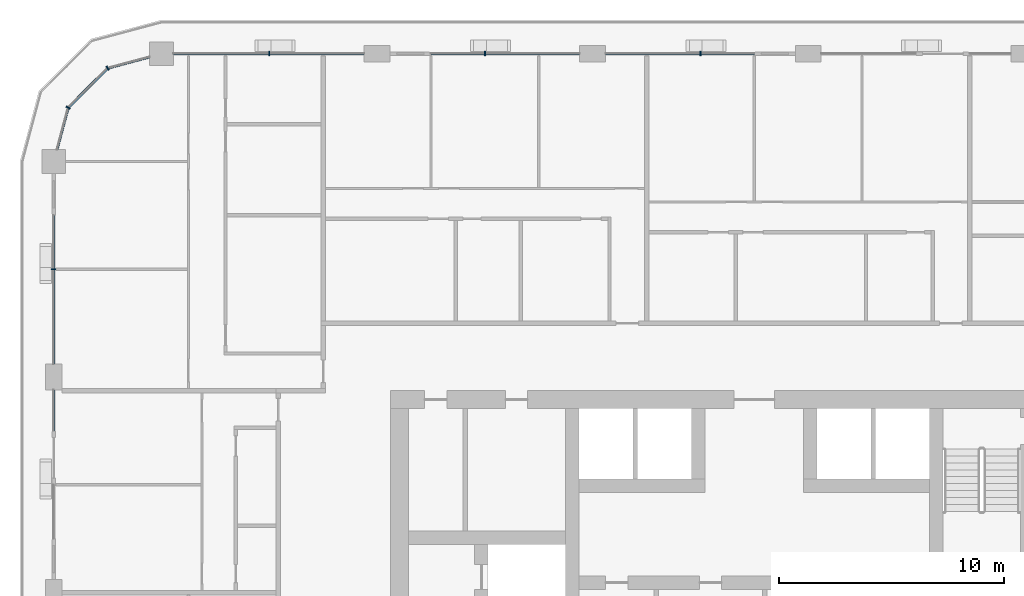
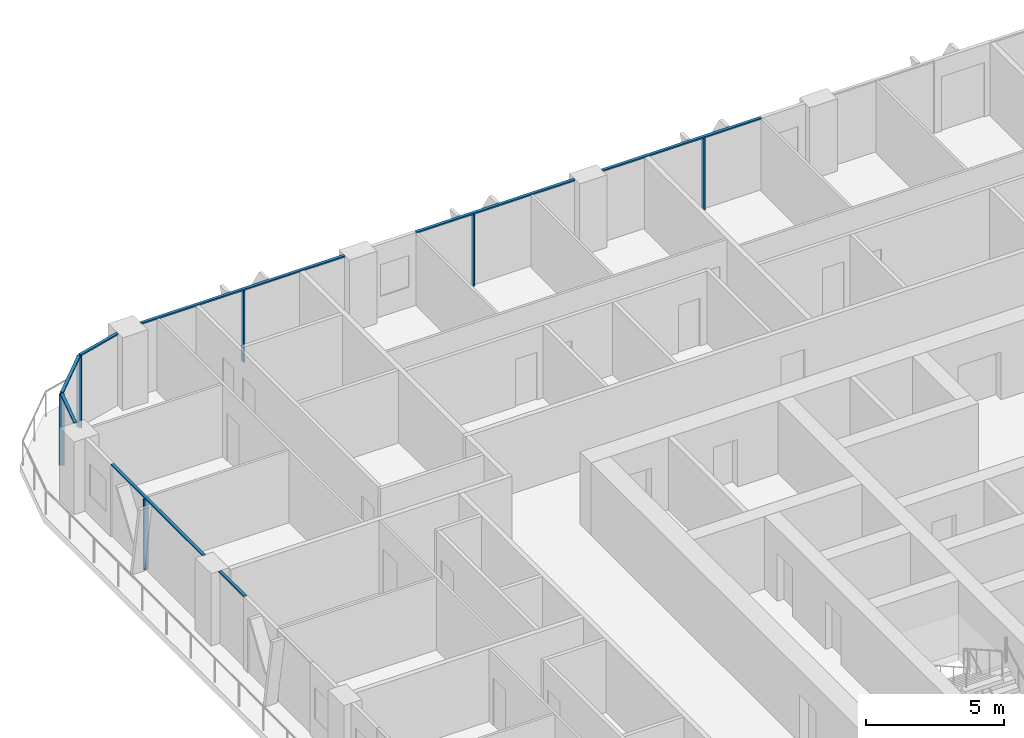
# One storey, part 5 of 22: 14 members, 6 elements without a shape of their own.
"""IFC4 building model written with IfcOpenShell, lengths in metres."""

from ifc_helpers import new_model, si_unit, direction, frame, origin, origin_2d, place, context, subcontext, project, spatial, rectangle, extrude, material, layer, layer_set, material_profile, profile_set, type_object, element, aggregate, save


model = new_model("IFC4")

# Units and contexts
model_context = context("Model", 3, precision=1e-05, world=origin(), true_north=direction((0.0, 1.0)))
body_context = subcontext(model_context, "Body", "Model", "MODEL_VIEW")
ifc_project = project(units=[si_unit("LENGTHUNIT", "METRE"), si_unit("AREAUNIT", "SQUARE_METRE"), si_unit("VOLUMEUNIT", "CUBIC_METRE"), si_unit("PLANEANGLEUNIT", "RADIAN"), si_unit("MASSUNIT", "GRAM", prefix="KILO")], contexts=[model_context])

# Site, building, storey
site_placement = place(None, origin())
site = spatial("IfcSite", under=ifc_project, at=site_placement, CompositionType="ELEMENT")
building_placement = place(site_placement, origin())
building = spatial("IfcBuilding", under=site, at=building_placement, Name="Madar Terraces", CompositionType="ELEMENT")
storey_placement = place(building_placement, frame((0.0, 0.0, 126.10009765625)))
storey = spatial("IfcBuildingStorey", under=building, at=storey_placement, Name="L32", CompositionType="ELEMENT", Elevation=126.10009765625)

# Curtain wall, member
ifc_material_1 = material(Name="Glass, ceramic frit dark grey, with black aluminium frame", Category="aluminium")
ifc_layer = layer(ifc_material_1, 0.199951171875)
ifc_layer_set = layer_set([ifc_layer], Name="Facade curtain wall, fritted glass")
curtain_wall_type = type_object("IfcCurtainWallType", Name="Facade curtain wall, fritted glass", PredefinedType="NOTDEFINED", material=ifc_layer_set)
curtain_wall_1_placement = place(storey_placement, origin())
curtain_wall_1 = element("IfcCurtainWall", 1, at=curtain_wall_1_placement, inside=storey, type_object=curtain_wall_type, Name="Outer skin curtain wall north bay 3", PredefinedType="NOTDEFINED")
ifc_material_2 = material(Name="Aluminium, black anodised", Category="aluminium")
ifc_material_profile_1 = material_profile(ifc_material_2, rectangle(XDim=0.199951171875, YDim=0.06005859375, at=origin_2d()), Name="Facade mullion 60x200")
ifc_profile_set_1 = profile_set([ifc_material_profile_1], Name="Aluminium, black anodised")
member_type_1 = type_object("IfcMemberType", Name="Facade mullion 60x200", PredefinedType="MULLION", material=ifc_profile_set_1)
member_1_placement = place(storey_placement, frame((28.800048828125, 52.800048828125, 0.0), z_axis=(0.0, 0.0, 1.0), x_axis=(0.0, -1.0, 0.0)))
member_1 = element("IfcMember", 2, at=member_1_placement, type_object=member_type_1, Name="Mullion 1", PredefinedType="MULLION", context=body_context, shape_type="SweptSolid", body=[
    extrude(rectangle(XDim=0.199951171875, YDim=0.06005859375, at=origin_2d()), origin(), (0.0, 0.0, 1.0), 3.139892578125),
])

curtain_wall_2_placement = place(storey_placement, origin())
curtain_wall_2 = element("IfcCurtainWall", 3, at=curtain_wall_2_placement, inside=storey, type_object=curtain_wall_type, Name="Outer skin curtain wall north bay 4", PredefinedType="NOTDEFINED")
member_2_placement = place(storey_placement, frame((19.199951171875, 52.800048828125, 0.0), z_axis=(0.0, 0.0, 1.0), x_axis=(0.0, -1.0, 0.0)))
member_2 = element("IfcMember", 4, at=member_2_placement, type_object=member_type_1, Name="Mullion 1", PredefinedType="MULLION", context=body_context, shape_type="SweptSolid", body=[
    extrude(rectangle(XDim=0.199951171875, YDim=0.06005859375, at=origin_2d()), origin(), (0.0, 0.0, 1.0), 3.139892578125),
])

curtain_wall_3_placement = place(storey_placement, origin())
curtain_wall_3 = element("IfcCurtainWall", 5, at=curtain_wall_3_placement, inside=storey, type_object=curtain_wall_type, Name="Outer skin curtain wall north bay 5", PredefinedType="NOTDEFINED")
member_3_placement = place(storey_placement, frame((9.60009765625, 52.800048828125, 0.0), z_axis=(0.0, 0.0, 1.0), x_axis=(0.0, -1.0, 0.0)))
member_3 = element("IfcMember", 6, at=member_3_placement, type_object=member_type_1, Name="Mullion 1", PredefinedType="MULLION", context=body_context, shape_type="SweptSolid", body=[
    extrude(rectangle(XDim=0.199951171875, YDim=0.06005859375, at=origin_2d()), origin(), (0.0, 0.0, 1.0), 3.139892578125),
])

curtain_wall_4_placement = place(storey_placement, origin())
curtain_wall_4 = element("IfcCurtainWall", 7, at=curtain_wall_4_placement, inside=storey, type_object=curtain_wall_type, Name="Outer skin curtain wall west bay 1", PredefinedType="NOTDEFINED")
member_4_placement = place(storey_placement, frame((0.0, 43.199951171875, 0.0), z_axis=(0.0, 0.0, 1.0), x_axis=(1.0, 0.0, 0.0)))
member_4 = element("IfcMember", 8, at=member_4_placement, type_object=member_type_1, Name="Mullion 1", PredefinedType="MULLION", context=body_context, shape_type="SweptSolid", body=[
    extrude(rectangle(XDim=0.199951171875, YDim=0.06005859375, at=origin_2d()), origin(), (0.0, 0.0, 1.0), 3.139892578125),
])

# Curtain wall, members
curtain_wall_5_placement = place(storey_placement, origin())
curtain_wall_5 = element("IfcCurtainWall", 9, at=curtain_wall_5_placement, inside=storey, type_object=curtain_wall_type, Name="Outer skin curtain wall north-west corner", PredefinedType="NOTDEFINED")
member_5_placement = place(storey_placement, frame((2.39990234375, 52.156982421875, 0.0), z_axis=(0.0, 0.0, 1.0), x_axis=(0.499999989586, -0.866025409797, 0.0)))
member_5 = element("IfcMember", 10, at=member_5_placement, type_object=member_type_1, Name="Mullion 1", PredefinedType="MULLION", context=body_context, shape_type="SweptSolid", body=[
    extrude(rectangle(XDim=0.199951171875, YDim=0.06005859375, at=origin_2d()), origin(), (0.0, 0.0, 1.0), 3.139892578125),
])
member_6_placement = place(storey_placement, frame((0.64306640625, 50.39990234375, 0.0), z_axis=(0.0, 0.0, 1.0), x_axis=(0.866025409797, -0.499999989586, 0.0)))
member_6 = element("IfcMember", 11, at=member_6_placement, type_object=member_type_1, Name="Mullion 2", PredefinedType="MULLION", context=body_context, shape_type="SweptSolid", body=[
    extrude(rectangle(XDim=0.199951171875, YDim=0.06005859375, at=origin_2d()), origin(), (0.0, 0.0, 1.0), 3.139892578125),
])

# Member
ifc_material_3 = material(Name="Aluminium, black anodised", Category="aluminium")
ifc_material_profile_2 = material_profile(ifc_material_3, rectangle(XDim=0.1201171875, YDim=0.06005859375, at=origin_2d()), Name="Facade transom 60x120")
ifc_profile_set_2 = profile_set([ifc_material_profile_2], Name="Aluminium, black anodised")
member_type_2 = type_object("IfcMemberType", Name="Facade transom 60x120", PredefinedType="USERDEFINED", material=ifc_profile_set_2)
member_7_placement = place(storey_placement, frame((31.199951171875, 52.800048828125, 3.169921875), z_axis=(-1.0, 0.0, 0.0), x_axis=(0.0, -1.0, 0.0)))
member_7 = element("IfcMember", 12, at=member_7_placement, type_object=member_type_2, Name="Transom 1", ObjectType="TRANSOM", PredefinedType="USERDEFINED", context=body_context, shape_type="SweptSolid", body=[
    extrude(rectangle(XDim=0.1201171875, YDim=0.06005859375, at=origin_2d()), origin(), (0.0, 0.0, 1.0), 6.625),
])

aggregate(curtain_wall_1, [member_1, member_7])

member_8_placement = place(storey_placement, frame((23.425048828125, 52.800048828125, 3.169921875), z_axis=(-1.0, 0.0, 0.0), x_axis=(0.0, -1.0, 0.0)))
member_8 = element("IfcMember", 13, at=member_8_placement, type_object=member_type_2, Name="Transom 1", ObjectType="TRANSOM", PredefinedType="USERDEFINED", context=body_context, shape_type="SweptSolid", body=[
    extrude(rectangle(XDim=0.1201171875, YDim=0.06005859375, at=origin_2d()), origin(), (0.0, 0.0, 1.0), 6.625),
])

aggregate(curtain_wall_2, [member_2, member_8])

member_9_placement = place(storey_placement, frame((13.824951171875, 52.800048828125, 3.169921875), z_axis=(-1.0, 0.0, 0.0), x_axis=(0.0, -1.0, 0.0)))
member_9 = element("IfcMember", 14, at=member_9_placement, type_object=member_type_2, Name="Transom 1", ObjectType="TRANSOM", PredefinedType="USERDEFINED", context=body_context, shape_type="SweptSolid", body=[
    extrude(rectangle(XDim=0.1201171875, YDim=0.06005859375, at=origin_2d()), origin(), (0.0, 0.0, 1.0), 8.5),
])

aggregate(curtain_wall_3, [member_3, member_9])

member_10_placement = place(storey_placement, frame((0.0, 45.60009765625, 3.169921875), z_axis=(0.0, -1.0, 0.0), x_axis=(1.0, 0.0, 0.0)))
member_10 = element("IfcMember", 15, at=member_10_placement, type_object=member_type_2, Name="Transom 1", ObjectType="TRANSOM", PredefinedType="USERDEFINED", context=body_context, shape_type="SweptSolid", body=[
    extrude(rectangle(XDim=0.1201171875, YDim=0.06005859375, at=origin_2d()), origin(), (0.0, 0.0, 1.0), 6.625),
])

aggregate(curtain_wall_4, [member_4, member_10])

# Curtain wall, member
curtain_wall_6_placement = place(storey_placement, origin())
curtain_wall_6 = element("IfcCurtainWall", 16, at=curtain_wall_6_placement, inside=storey, type_object=curtain_wall_type, Name="Outer skin curtain wall west bay 2", PredefinedType="NOTDEFINED")
member_11_placement = place(storey_placement, frame((0.0, 37.824951171875, 3.169921875), z_axis=(0.0, -1.0, 0.0), x_axis=(1.0, 0.0, 0.0)))
member_11 = element("IfcMember", 17, at=member_11_placement, type_object=member_type_2, Name="Transom 1", ObjectType="TRANSOM", PredefinedType="USERDEFINED", context=body_context, shape_type="SweptSolid", body=[
    extrude(rectangle(XDim=0.1201171875, YDim=0.06005859375, at=origin_2d()), origin(), (0.0, 0.0, 1.0), 1.824951171875),
])
aggregate(curtain_wall_6, [member_11])

# Member
member_12_placement = place(storey_placement, frame((4.27490234375, 52.659423828125, 3.169921875), z_axis=(-0.965924671538, -0.258823354654, 0.0), x_axis=(0.258823354654, -0.965924671538, 0.0)))
member_12 = element("IfcMember", 18, at=member_12_placement, type_object=member_type_2, Name="Transom 1", ObjectType="TRANSOM", PredefinedType="USERDEFINED", context=body_context, shape_type="SweptSolid", body=[
    extrude(rectangle(XDim=0.1201171875, YDim=0.06005859375, at=origin_2d()), origin(), (0.0, 0.0, 1.0), 1.9111328125),
])

member_13_placement = place(storey_placement, frame((2.37890625, 52.1357421875, 3.169921875), z_axis=(-0.707106781187, -0.707106781187, 0.0), x_axis=(0.707106781187, -0.707106781187, 0.0)))
member_13 = element("IfcMember", 19, at=member_13_placement, type_object=member_type_2, Name="Transom 2", ObjectType="TRANSOM", PredefinedType="USERDEFINED", context=body_context, shape_type="SweptSolid", body=[
    extrude(rectangle(XDim=0.1201171875, YDim=0.06005859375, at=origin_2d()), origin(), (0.0, 0.0, 1.0), 2.4248046875),
])

member_14_placement = place(storey_placement, frame((0.63525390625, 50.37109375, 3.169921875), z_axis=(-0.25879142023, -0.965933227928, 0.0), x_axis=(0.965933227928, -0.25879142023, 0.0)))
member_14 = element("IfcMember", 20, at=member_14_placement, type_object=member_type_2, Name="Transom 3", ObjectType="TRANSOM", PredefinedType="USERDEFINED", context=body_context, shape_type="SweptSolid", body=[
    extrude(rectangle(XDim=0.1201171875, YDim=0.06005859375, at=origin_2d()), origin(), (0.0, 0.0, 1.0), 1.911376953125),
])

aggregate(curtain_wall_5, [member_5, member_12, member_6, member_13, member_14])

save(model, "model.ifc")
